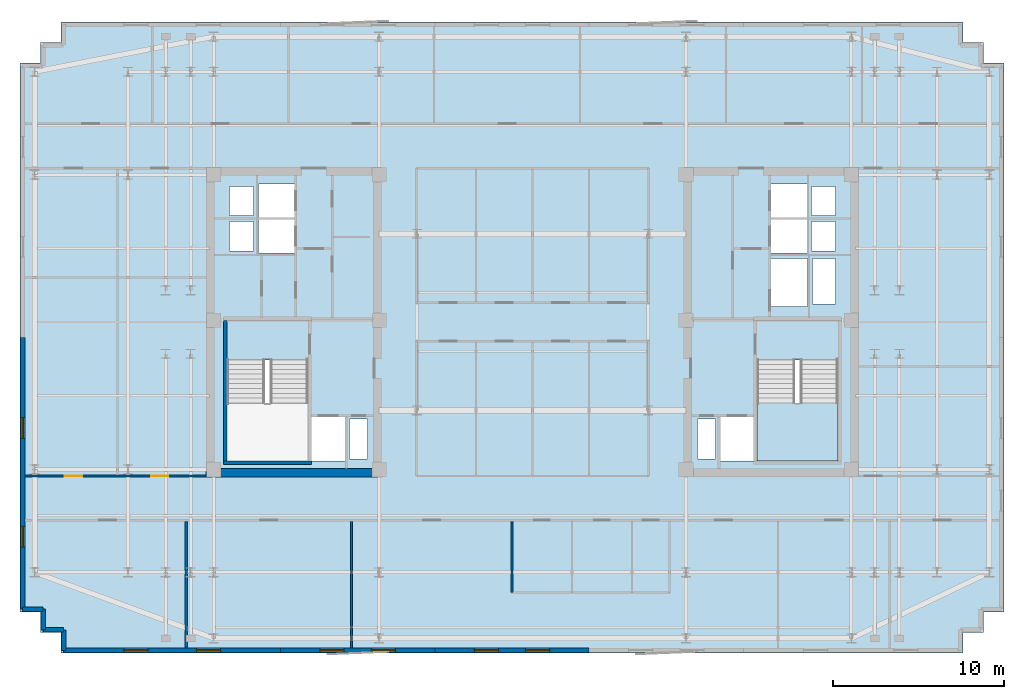
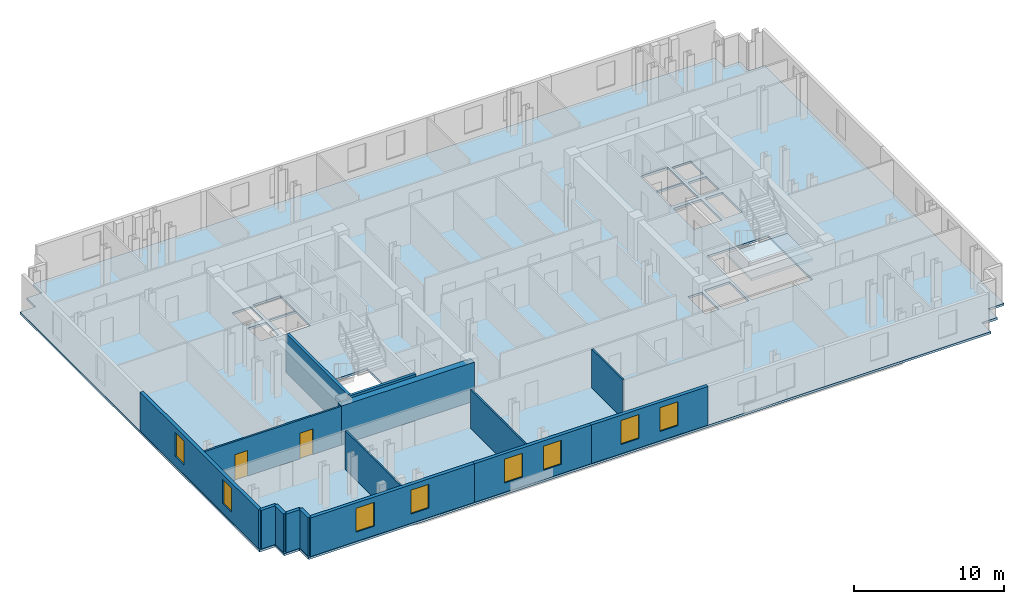
# One storey, part 3 of 10: 15 walls, 8 windows, 2 doors, 2 slabs, 10 openings, 1 element without a shape of its own.
"""IFC4 building model written with IfcOpenShell, lengths in metres."""

from ifc_helpers import new_model, si_unit, direction, frame, frame_2d, origin, place, context, subcontext, project, spatial, polyline, rectangle, outline, extrude, material, layer, layer_set, type_object, element, fill, aggregate, save


model = new_model("IFC4")

# Units and contexts
model_context = context("Model", 3, precision=1e-05, world=origin(), true_north=direction((0.0, 1.0)))
body_context = subcontext(model_context, "Body", "Model", "MODEL_VIEW")
ifc_project = project(units=[si_unit("LENGTHUNIT", "METRE"), si_unit("AREAUNIT", "SQUARE_METRE"), si_unit("VOLUMEUNIT", "CUBIC_METRE"), si_unit("PLANEANGLEUNIT", "RADIAN"), si_unit("MASSUNIT", "GRAM", prefix="KILO")], contexts=[model_context])

# Site, building, storey
site_placement = place(None, origin())
site = spatial("IfcSite", under=ifc_project, at=site_placement, CompositionType="ELEMENT")
building_placement = place(site_placement, origin())
building = spatial("IfcBuilding", under=site, at=building_placement, Name="Velakula Bourse", CompositionType="ELEMENT")
storey_placement = place(building_placement, frame((0.0, 0.0, 239.550048828125)))
storey = spatial("IfcBuildingStorey", under=building, at=storey_placement, Name="L65", CompositionType="ELEMENT", Elevation=239.550048828125)

# Stair, slab
ifc_material_1 = material(Name="Concrete M45 (fck 45 MPa)", Category="concrete")
stair_type = type_object("IfcStairType", Name="STR-DOG-390", PredefinedType="HALF_TURN_STAIR", material=ifc_material_1)
stair_placement = place(storey_placement, origin())
stair = element("IfcStair", 1, at=stair_placement, inside=storey, type_object=stair_type, Name="L65 East Core Exit Stair ST-E1", PredefinedType="HALF_TURN_STAIR")
ifc_layer_1 = layer(ifc_material_1, 0.199951171875, Name="Concrete M45 (fck 45 MPa)", Category="concrete")
ifc_layer_set_1 = layer_set([ifc_layer_1], Name="Concrete M45 (fck 45 MPa)")
slab_type_1 = type_object("IfcSlabType", Name="SLB-STAIR-LND-200", PredefinedType="LANDING", material=ifc_layer_set_1)
slab_1_placement = place(storey_placement, frame((0.0, 0.0, 1.52490234375)))
slab_1 = element("IfcSlab", 2, at=slab_1_placement, type_object=slab_type_1, Name="ST-E1 landing 1", PredefinedType="LANDING", context=body_context, shape_type="SweptSolid", body=[
    extrude(outline(polyline([(13.10009765625, -4.719970703125), (13.10009765625, -8.10009765625), (17.820068359375, -8.10009765625), (17.820068359375, -4.719970703125), (13.10009765625, -4.719970703125)])), origin(), (0.0, 0.0, 1.0), 0.199951171875),
])
aggregate(stair, [slab_1])

# Slab
ifc_material_2 = material(Name="Concrete M50 (fck 50 MPa)", Category="concrete")
ifc_layer_2 = layer(ifc_material_2, 0.179931640625, Name="Concrete M50 (fck 50 MPa)", Category="concrete")
ifc_layer_set_2 = layer_set([ifc_layer_2], Name="Concrete M50 (fck 50 MPa)")
slab_type_2 = type_object("IfcSlabType", Name="SLB-TWR-180", PredefinedType="FLOOR", material=ifc_layer_set_2)
slab_2_placement = place(storey_placement, frame((0.0, 0.0, -0.179931640625)))
element("IfcSlab", 3, at=slab_2_placement, inside=storey, type_object=slab_type_2, Name="L65 Suspended Structural Floor Slab", PredefinedType="FLOOR", context=body_context, shape_type="SweptSolid", body=[
    extrude(outline(polyline([(-27.5, -19.300048828125), (25.10009765625, -19.300048828125), (25.10009765625, -18.10009765625), (26.300048828125, -18.10009765625), (26.300048828125, -16.89990234375), (27.5, -16.89990234375), (27.5, 15.10009765625), (26.300048828125, 15.10009765625), (26.300048828125, 16.300048828125), (25.10009765625, 16.300048828125), (25.10009765625, 17.5), (-27.5, 17.5), (-27.5, 16.300048828125), (-28.699951171875, 16.300048828125), (-28.699951171875, 15.10009765625), (-29.89990234375, 15.10009765625), (-29.89990234375, -16.89990234375), (-28.699951171875, -16.89990234375), (-28.699951171875, -18.10009765625), (-27.5, -18.10009765625), (-27.5, -19.300048828125)]), holes=[polyline([(-17.820068359375, -8.10009765625), (-13.10009765625, -8.10009765625), (-13.10009765625, -2.199951171875), (-17.820068359375, -2.199951171875), (-17.820068359375, -8.10009765625)]), polyline([(13.10009765625, -8.10009765625), (17.820068359375, -8.10009765625), (17.820068359375, -2.199951171875), (13.10009765625, -2.199951171875), (13.10009765625, -8.10009765625)]), polyline([(-12.89990234375, -8.10009765625), (-10.949951171875, -8.10009765625), (-10.949951171875, -5.550048828125), (-12.89990234375, -5.550048828125), (-12.89990234375, -8.10009765625)]), polyline([(10.949951171875, -8.10009765625), (12.89990234375, -8.10009765625), (12.89990234375, -5.550048828125), (10.949951171875, -5.550048828125), (10.949951171875, -8.10009765625)]), polyline([(13.89990234375, 0.919921875), (16.050048828125, 0.919921875), (16.050048828125, 3.719970703125), (13.89990234375, 3.719970703125), (13.89990234375, 0.919921875)]), polyline([(-10.679931640625, -7.97998046875), (-9.6201171875, -7.97998046875), (-9.6201171875, -5.669921875), (-10.679931640625, -5.669921875), (-10.679931640625, -7.97998046875)]), polyline([(-17.679931640625, 4.139892578125), (-16.27001953125, 4.139892578125), (-16.27001953125, 5.85009765625), (-17.679931640625, 5.85009765625), (-17.679931640625, 4.139892578125)]), polyline([(-17.679931640625, 6.2099609375), (-16.27001953125, 6.2099609375), (-16.27001953125, 7.919921875), (-17.679931640625, 7.919921875), (-17.679931640625, 6.2099609375)]), polyline([(9.6201171875, -7.97998046875), (10.679931640625, -7.97998046875), (10.679931640625, -5.669921875), (9.6201171875, -5.669921875), (9.6201171875, -7.97998046875)]), polyline([(16.27001953125, 4.139892578125), (17.679931640625, 4.139892578125), (17.679931640625, 5.85009765625), (16.27001953125, 5.85009765625), (16.27001953125, 4.139892578125)]), polyline([(16.27001953125, 6.2099609375), (17.679931640625, 6.2099609375), (17.679931640625, 7.919921875), (16.27001953125, 7.919921875), (16.27001953125, 6.2099609375)]), polyline([(16.320068359375, 1.0400390625), (17.679931640625, 1.0400390625), (17.679931640625, 3.699951171875), (16.320068359375, 3.699951171875), (16.320068359375, 1.0400390625)]), polyline([(-16.0, 4.02001953125), (-13.89990234375, 4.02001953125), (-13.89990234375, 5.969970703125), (-16.0, 5.969970703125), (-16.0, 4.02001953125)]), polyline([(-16.0, 6.090087890625), (-13.89990234375, 6.090087890625), (-13.89990234375, 8.0400390625), (-16.0, 8.0400390625), (-16.0, 6.090087890625)]), polyline([(13.89990234375, 4.02001953125), (16.0, 4.02001953125), (16.0, 5.969970703125), (13.89990234375, 5.969970703125), (13.89990234375, 4.02001953125)]), polyline([(13.89990234375, 6.090087890625), (16.0, 6.090087890625), (16.0, 8.0400390625), (13.89990234375, 8.0400390625), (13.89990234375, 6.090087890625)])]), origin(), (0.0, 0.0, 1.0), 0.179931640625),
])

# Walls
ifc_layer_3 = layer(ifc_material_2, 0.2099609375, Name="Concrete M50 (fck 50 MPa)", Category="concrete")
ifc_layer_set_3 = layer_set([ifc_layer_3], Name="Concrete M50 (fck 50 MPa)")
wall_type_1 = type_object("IfcWallType", Name="WL-CORE-210", PredefinedType="SHEAR", material=ifc_layer_set_3)
wall_1_placement = place(storey_placement, frame((-17.925048828125, -8.10009765625, 0.0), z_axis=(0.0, 0.0, 1.0), x_axis=(0.0, 1.0, 0.0)))
element("IfcWall", 4, at=wall_1_placement, inside=storey, type_object=wall_type_1, Name="L65 Core W Stairwell Shear Wall OUT", PredefinedType="SHEAR", context=body_context, shape_type="SweptSolid", body=[
    extrude(rectangle(XDim=8.2001953125, YDim=0.2099609375, at=frame_2d((4.10009765625, 0.0))), origin(), (0.0, 0.0, 1.0), 3.169921875),
])
wall_2_placement = place(storey_placement, frame((-18.030029296875, -8.205078125, 0.0), z_axis=(0.0, 0.0, 1.0), x_axis=(1.0, 0.0, 0.0)))
element("IfcWall", 5, at=wall_2_placement, inside=storey, type_object=wall_type_1, Name="L65 Core W Stairwell Shear Wall S", PredefinedType="SHEAR", context=body_context, shape_type="SweptSolid", body=[
    extrude(rectangle(XDim=5.14013671875, YDim=0.2099609375, at=frame_2d((2.570068359375, 0.0))), origin(), (0.0, 0.0, 1.0), 3.169921875),
])
ifc_layer_4 = layer(ifc_material_2, 0.5, Name="Concrete M50 (fck 50 MPa)", Category="concrete")
ifc_layer_set_4 = layer_set([ifc_layer_4], Name="Concrete M50 (fck 50 MPa)")
wall_type_2 = type_object("IfcWallType", Name="WL-CORE-500", PredefinedType="SHEAR", material=ifc_layer_set_4)
wall_3_placement = place(storey_placement, frame((-19.050048828125, -8.800048828125, 0.0), z_axis=(0.0, 0.0, 1.0), x_axis=(1.0, 0.0, 0.0)))
element("IfcWall", 6, at=wall_3_placement, inside=storey, type_object=wall_type_2, Name="L65 Core W Shear Wall S", PredefinedType="SHEAR", context=body_context, shape_type="SweptSolid", body=[
    extrude(rectangle(XDim=10.25, YDim=0.5, at=frame_2d((5.125, 0.0))), origin(), (0.0, 0.0, 1.0), 3.169921875),
])

# Wall, openings, windows
ifc_material_3 = material(Name="Buff kilned clay facing brick masonry", Category="masonry")
ifc_layer_5 = layer(ifc_material_3, 0.260009765625, Name="Buff kilned clay facing brick masonry", Category="masonry")
ifc_layer_set_5 = layer_set([ifc_layer_5], Name="Buff kilned clay facing brick masonry")
wall_type_3 = type_object("IfcWallType", Name="WL-EXT-BRK-260", PredefinedType="STANDARD", material=ifc_layer_set_5)
wall_4_placement = place(storey_placement, frame((-14.699951171875, -19.14990234375, 0.0), z_axis=(0.0, 0.0, 1.0), x_axis=(-1.0, 0.0, 0.0)))
wall_4 = element("IfcWall", 7, at=wall_4_placement, inside=storey, type_object=wall_type_3, Name="L65 S Brick Spandrel Wall B1", PredefinedType="STANDARD", context=body_context, shape_type="SweptSolid", body=[
    extrude(rectangle(XDim=12.650146484375, YDim=0.260009765625, at=frame_2d((6.3251953125, 0.0))), origin(), (0.0, 0.0, 1.0), 3.14990234375),
])
opening_1_placement = place(wall_4_placement, frame((3.5166015625, 0.0, 0.760009765625)))
opening_1 = element("IfcOpeningElement", 8, at=opening_1_placement, cuts=wall_4, Name="Opening W-03", PredefinedType="OPENING", context=body_context, shape_type="SweptSolid", body=[
    extrude(rectangle(XDim=1.39990234375, YDim=1.949951171875, at=frame_2d((0.699951171875, 0.97509765625))), frame((0.0, 0.139892578125, 0.0), z_axis=(0.0, -1.0, 0.0), x_axis=(1.0, 0.0, 0.0)), (0.0, 0.0, 1.0), 0.280029296875),
])
opening_2_placement = place(wall_4_placement, frame((7.7333984375, 0.0, 0.760009765625)))
opening_2 = element("IfcOpeningElement", 9, at=opening_2_placement, cuts=wall_4, Name="Opening W-03", PredefinedType="OPENING", context=body_context, shape_type="SweptSolid", body=[
    extrude(rectangle(XDim=1.39990234375, YDim=1.949951171875, at=frame_2d((0.699951171875, 0.97509765625))), frame((0.0, 0.139892578125, 0.0), z_axis=(0.0, -1.0, 0.0), x_axis=(1.0, 0.0, 0.0)), (0.0, 0.0, 1.0), 0.280029296875),
])
ifc_material_4 = material(Name="Double-glazed solar-control Low-E glass", Category="glass")
window_type_1 = type_object("IfcWindowType", Name="WIN-TWR-1400x2100", PartitioningType="SINGLE_PANEL", PredefinedType="WINDOW", material=ifc_material_4)
window_1_placement = place(opening_1_placement, origin())
window_1 = element("IfcWindow", 10, at=window_1_placement, inside=storey, type_object=window_type_1, Name="L65 Deep-Set Recessed Window 1", OverallHeight=1.949951171875, OverallWidth=1.39990234375, PartitioningType="SINGLE_PANEL", PredefinedType="WINDOW", context=body_context, shape_type="SweptSolid", body=[
    extrude(rectangle(XDim=1.39990234375, YDim=1.949951171875, at=frame_2d((0.699951171875, 0.97509765625))), frame((0.0, 0.030029296875, 0.0), z_axis=(0.0, -1.0, 0.0), x_axis=(1.0, 0.0, 0.0)), (0.0, 0.0, 1.0), 0.06005859375),
])
fill(opening_1, window_1)
window_2_placement = place(opening_2_placement, origin())
window_2 = element("IfcWindow", 11, at=window_2_placement, inside=storey, type_object=window_type_1, Name="L65 Deep-Set Recessed Window 2", OverallHeight=1.949951171875, OverallWidth=1.39990234375, PartitioningType="SINGLE_PANEL", PredefinedType="WINDOW", context=body_context, shape_type="SweptSolid", body=[
    extrude(rectangle(XDim=1.39990234375, YDim=1.949951171875, at=frame_2d((0.699951171875, 0.97509765625))), frame((0.0, 0.030029296875, 0.0), z_axis=(0.0, -1.0, 0.0), x_axis=(1.0, 0.0, 0.0)), (0.0, 0.0, 1.0), 0.06005859375),
])
fill(opening_2, window_2)

wall_5_placement = place(storey_placement, frame((-5.699951171875, -19.14990234375, 0.0), z_axis=(0.0, 0.0, 1.0), x_axis=(-1.0, 0.0, 0.0)))
wall_5 = element("IfcWall", 12, at=wall_5_placement, inside=storey, type_object=wall_type_3, Name="L65 S Brick Spandrel Wall B2", PredefinedType="STANDARD", context=body_context, shape_type="SweptSolid", body=[
    extrude(rectangle(XDim=9.0, YDim=0.260009765625, at=frame_2d((4.5, 0.0))), origin(), (0.0, 0.0, 1.0), 3.14990234375),
])
opening_3_placement = place(wall_5_placement, frame((2.300048828125, 0.0, 0.760009765625)))
opening_3 = element("IfcOpeningElement", 13, at=opening_3_placement, cuts=wall_5, Name="Opening W-03", PredefinedType="OPENING", context=body_context, shape_type="SweptSolid", body=[
    extrude(rectangle(XDim=1.39990234375, YDim=1.949951171875, at=frame_2d((0.699951171875, 0.97509765625))), frame((0.0, 0.139892578125, 0.0), z_axis=(0.0, -1.0, 0.0), x_axis=(1.0, 0.0, 0.0)), (0.0, 0.0, 1.0), 0.280029296875),
])
opening_4_placement = place(wall_5_placement, frame((5.300048828125, 0.0, 0.760009765625)))
opening_4 = element("IfcOpeningElement", 14, at=opening_4_placement, cuts=wall_5, Name="Opening W-03", PredefinedType="OPENING", context=body_context, shape_type="SweptSolid", body=[
    extrude(rectangle(XDim=1.39990234375, YDim=1.949951171875, at=frame_2d((0.699951171875, 0.97509765625))), frame((0.0, 0.139892578125, 0.0), z_axis=(0.0, -1.0, 0.0), x_axis=(1.0, 0.0, 0.0)), (0.0, 0.0, 1.0), 0.280029296875),
])
window_3_placement = place(opening_3_placement, origin())
window_3 = element("IfcWindow", 15, at=window_3_placement, inside=storey, type_object=window_type_1, Name="L65 Deep-Set Recessed Window 1", OverallHeight=1.949951171875, OverallWidth=1.39990234375, PartitioningType="SINGLE_PANEL", PredefinedType="WINDOW", context=body_context, shape_type="SweptSolid", body=[
    extrude(rectangle(XDim=1.39990234375, YDim=1.949951171875, at=frame_2d((0.699951171875, 0.97509765625))), frame((0.0, 0.030029296875, 0.0), z_axis=(0.0, -1.0, 0.0), x_axis=(1.0, 0.0, 0.0)), (0.0, 0.0, 1.0), 0.06005859375),
])
fill(opening_3, window_3)
window_4_placement = place(opening_4_placement, origin())
window_4 = element("IfcWindow", 16, at=window_4_placement, inside=storey, type_object=window_type_1, Name="L65 Deep-Set Recessed Window 2", OverallHeight=1.949951171875, OverallWidth=1.39990234375, PartitioningType="SINGLE_PANEL", PredefinedType="WINDOW", context=body_context, shape_type="SweptSolid", body=[
    extrude(rectangle(XDim=1.39990234375, YDim=1.949951171875, at=frame_2d((0.699951171875, 0.97509765625))), frame((0.0, 0.030029296875, 0.0), z_axis=(0.0, -1.0, 0.0), x_axis=(1.0, 0.0, 0.0)), (0.0, 0.0, 1.0), 0.06005859375),
])
fill(opening_4, window_4)

wall_6_placement = place(storey_placement, frame((3.300048828125, -19.14990234375, 0.0), z_axis=(0.0, 0.0, 1.0), x_axis=(-1.0, 0.0, 0.0)))
wall_6 = element("IfcWall", 17, at=wall_6_placement, inside=storey, type_object=wall_type_3, Name="L65 S Brick Spandrel Wall B3", PredefinedType="STANDARD", context=body_context, shape_type="SweptSolid", body=[
    extrude(rectangle(XDim=9.0, YDim=0.260009765625, at=frame_2d((4.5, 0.0))), origin(), (0.0, 0.0, 1.0), 3.14990234375),
])
opening_5_placement = place(wall_6_placement, frame((2.300048828125, 0.0, 0.760009765625)))
opening_5 = element("IfcOpeningElement", 18, at=opening_5_placement, cuts=wall_6, Name="Opening W-03", PredefinedType="OPENING", context=body_context, shape_type="SweptSolid", body=[
    extrude(rectangle(XDim=1.39990234375, YDim=1.949951171875, at=frame_2d((0.699951171875, 0.97509765625))), frame((0.0, 0.139892578125, 0.0), z_axis=(0.0, -1.0, 0.0), x_axis=(1.0, 0.0, 0.0)), (0.0, 0.0, 1.0), 0.280029296875),
])
opening_6_placement = place(wall_6_placement, frame((5.300048828125, 0.0, 0.760009765625)))
opening_6 = element("IfcOpeningElement", 19, at=opening_6_placement, cuts=wall_6, Name="Opening W-03", PredefinedType="OPENING", context=body_context, shape_type="SweptSolid", body=[
    extrude(rectangle(XDim=1.39990234375, YDim=1.949951171875, at=frame_2d((0.699951171875, 0.97509765625))), frame((0.0, 0.139892578125, 0.0), z_axis=(0.0, -1.0, 0.0), x_axis=(1.0, 0.0, 0.0)), (0.0, 0.0, 1.0), 0.280029296875),
])
window_5_placement = place(opening_5_placement, origin())
window_5 = element("IfcWindow", 20, at=window_5_placement, inside=storey, type_object=window_type_1, Name="L65 Deep-Set Recessed Window 1", OverallHeight=1.949951171875, OverallWidth=1.39990234375, PartitioningType="SINGLE_PANEL", PredefinedType="WINDOW", context=body_context, shape_type="SweptSolid", body=[
    extrude(rectangle(XDim=1.39990234375, YDim=1.949951171875, at=frame_2d((0.699951171875, 0.97509765625))), frame((0.0, 0.030029296875, 0.0), z_axis=(0.0, -1.0, 0.0), x_axis=(1.0, 0.0, 0.0)), (0.0, 0.0, 1.0), 0.06005859375),
])
fill(opening_5, window_5)
window_6_placement = place(opening_6_placement, origin())
window_6 = element("IfcWindow", 21, at=window_6_placement, inside=storey, type_object=window_type_1, Name="L65 Deep-Set Recessed Window 2", OverallHeight=1.949951171875, OverallWidth=1.39990234375, PartitioningType="SINGLE_PANEL", PredefinedType="WINDOW", context=body_context, shape_type="SweptSolid", body=[
    extrude(rectangle(XDim=1.39990234375, YDim=1.949951171875, at=frame_2d((0.699951171875, 0.97509765625))), frame((0.0, 0.030029296875, 0.0), z_axis=(0.0, -1.0, 0.0), x_axis=(1.0, 0.0, 0.0)), (0.0, 0.0, 1.0), 0.06005859375),
])
fill(opening_6, window_6)

wall_7_placement = place(storey_placement, frame((-29.75, -16.75, 0.0), z_axis=(0.0, 0.0, 1.0), x_axis=(0.0, 1.0, 0.0)))
wall_7 = element("IfcWall", 22, at=wall_7_placement, inside=storey, type_object=wall_type_3, Name="L65 W Brick End Wall W1", PredefinedType="STANDARD", context=body_context, shape_type="SweptSolid", body=[
    extrude(rectangle(XDim=15.85009765625, YDim=0.260009765625, at=frame_2d((7.925048828125, 0.0))), origin(), (0.0, 0.0, 1.0), 3.14990234375),
])
opening_7_placement = place(wall_7_placement, frame((3.63330078125, 0.0, 0.760009765625)))
opening_7 = element("IfcOpeningElement", 23, at=opening_7_placement, cuts=wall_7, Name="Opening W-04", PredefinedType="OPENING", context=body_context, shape_type="SweptSolid", body=[
    extrude(rectangle(XDim=1.199951171875, YDim=1.949951171875, at=frame_2d((0.60009765625, 0.97509765625))), frame((0.0, 0.139892578125, 0.0), z_axis=(0.0, -1.0, 0.0), x_axis=(1.0, 0.0, 0.0)), (0.0, 0.0, 1.0), 0.280029296875),
])
opening_8_placement = place(wall_7_placement, frame((9.966796875, 0.0, 0.760009765625)))
opening_8 = element("IfcOpeningElement", 24, at=opening_8_placement, cuts=wall_7, Name="Opening W-04", PredefinedType="OPENING", context=body_context, shape_type="SweptSolid", body=[
    extrude(rectangle(XDim=1.199951171875, YDim=1.949951171875, at=frame_2d((0.60009765625, 0.97509765625))), frame((0.0, 0.139892578125, 0.0), z_axis=(0.0, -1.0, 0.0), x_axis=(1.0, 0.0, 0.0)), (0.0, 0.0, 1.0), 0.280029296875),
])
window_type_2 = type_object("IfcWindowType", Name="WIN-TWR-1200x2100", PartitioningType="SINGLE_PANEL", PredefinedType="WINDOW", material=ifc_material_4)
window_7_placement = place(opening_7_placement, origin())
window_7 = element("IfcWindow", 25, at=window_7_placement, inside=storey, type_object=window_type_2, Name="L65 Deep-Set Recessed Window 1", OverallHeight=1.949951171875, OverallWidth=1.199951171875, PartitioningType="SINGLE_PANEL", PredefinedType="WINDOW", context=body_context, shape_type="SweptSolid", body=[
    extrude(rectangle(XDim=1.199951171875, YDim=1.949951171875, at=frame_2d((0.60009765625, 0.97509765625))), frame((0.0, 0.030029296875, 0.0), z_axis=(0.0, -1.0, 0.0), x_axis=(1.0, 0.0, 0.0)), (0.0, 0.0, 1.0), 0.06005859375),
])
fill(opening_7, window_7)
window_8_placement = place(opening_8_placement, origin())
window_8 = element("IfcWindow", 26, at=window_8_placement, inside=storey, type_object=window_type_2, Name="L65 Deep-Set Recessed Window 2", OverallHeight=1.949951171875, OverallWidth=1.199951171875, PartitioningType="SINGLE_PANEL", PredefinedType="WINDOW", context=body_context, shape_type="SweptSolid", body=[
    extrude(rectangle(XDim=1.199951171875, YDim=1.949951171875, at=frame_2d((0.60009765625, 0.97509765625))), frame((0.0, 0.030029296875, 0.0), z_axis=(0.0, -1.0, 0.0), x_axis=(1.0, 0.0, 0.0)), (0.0, 0.0, 1.0), 0.06005859375),
])
fill(opening_8, window_8)

# Walls
for number, where, z_axis, x_axis, name in (
    (27, (-29.75, -16.75, 0.0), (0.0, 0.0, 1.0), (1.0, 0.0, 0.0), "L65 Serrated Corner Brick Wall SW-1"),
    (28, (-28.550048828125, -16.75, 0.0), (0.0, 0.0, 1.0), (0.0, -1.0, 0.0), "L65 Serrated Corner Brick Wall SW-2"),
    (29, (-28.550048828125, -17.949951171875, 0.0), (0.0, 0.0, 1.0), (1.0, 0.0, 0.0), "L65 Serrated Corner Brick Wall SW-3"),
    (30, (-27.35009765625, -17.949951171875, 0.0), (0.0, 0.0, 1.0), (0.0, -1.0, 0.0), "L65 Serrated Corner Brick Wall SW-4"),
):
    element("IfcWall", number, at=place(storey_placement, frame(where, z_axis=z_axis, x_axis=x_axis)), inside=storey, type_object=wall_type_3, Name=name, PredefinedType="STANDARD", context=body_context, shape_type="SweptSolid", body=[
        extrude(rectangle(XDim=1.199951171875, YDim=0.260009765625, at=frame_2d((0.60009765625, 0.0))), origin(), (0.0, 0.0, 1.0), 3.14990234375),
    ])
ifc_material_5 = material(Name="Fire-rated double-layer gypsum drywall partition", Category="gypsum")
ifc_layer_6 = layer(ifc_material_5, 0.1201171875, Name="Fire-rated double-layer gypsum drywall partition", Category="gypsum")
ifc_layer_set_6 = layer_set([ifc_layer_6], Name="Fire-rated double-layer gypsum drywall partition")
wall_type_4 = type_object("IfcWallType", Name="WL-PART-120", PredefinedType="STANDARD", material=ifc_layer_set_6)
wall_8_placement = place(storey_placement, frame((-1.199951171875, -15.77001953125, 0.0), z_axis=(0.0, 0.0, 1.0), x_axis=(0.0, 1.0, 0.0)))
element("IfcWall", 31, at=wall_8_placement, inside=storey, type_object=wall_type_4, Name="L65 Interior Partition WL-WC-L65-V1", PredefinedType="STANDARD", context=body_context, shape_type="SweptSolid", body=[
    extrude(rectangle(XDim=4.130126953125, YDim=0.1201171875, at=frame_2d((2.06494140625, 0.0))), origin(), (0.0, 0.0, 1.0), 3.14990234375),
])
for number, where, z_axis, x_axis, name in (
    (32, (-20.200927734375, -19.02001953125, 0.0), (0.0, 0.0, 1.0), (0.0, 1.0, 0.0), "L65 Interior Partition WL-INT-L65-SL-D5"),
    (33, (-10.55908203125, -19.02001953125, 0.0), (0.0, 0.0, 1.0), (0.0, 1.0, 0.0), "L65 Interior Partition WL-INT-L65-SL-D6"),
):
    element("IfcWall", number, at=place(storey_placement, frame(where, z_axis=z_axis, x_axis=x_axis)), inside=storey, type_object=wall_type_4, Name=name, PredefinedType="STANDARD", context=body_context, shape_type="SweptSolid", body=[
        extrude(rectangle(XDim=7.380126953125, YDim=0.1201171875, at=frame_2d((3.68994140625, 0.0))), origin(), (0.0, 0.0, 1.0), 3.14990234375),
    ])

# Wall, openings, doors
ifc_layer_7 = layer(ifc_material_5, 0.139892578125, Name="Fire-rated double-layer gypsum drywall partition", Category="gypsum")
ifc_layer_set_7 = layer_set([ifc_layer_7], Name="Fire-rated double-layer gypsum drywall partition")
wall_type_5 = type_object("IfcWallType", Name="WL-PART-140", PredefinedType="STANDARD", material=ifc_layer_set_7)
wall_9_placement = place(storey_placement, frame((-29.6201171875, -8.97998046875, 0.0), z_axis=(0.0, 0.0, 1.0), x_axis=(1.0, 0.0, 0.0)))
wall_9 = element("IfcWall", 34, at=wall_9_placement, inside=storey, type_object=wall_type_5, Name="L65 Interior Partition WL-INT-L65-W-SC", PredefinedType="STANDARD", context=body_context, shape_type="SweptSolid", body=[
    extrude(rectangle(XDim=10.570068359375, YDim=0.139892578125, at=frame_2d((5.28515625, 0.0))), origin(), (0.0, 0.0, 1.0), 3.14990234375),
])
opening_9_placement = place(wall_9_placement, frame((2.33740234375, 0.0, 0.0)))
opening_9 = element("IfcOpeningElement", 35, at=opening_9_placement, cuts=wall_9, Name="Opening D-OF1", PredefinedType="OPENING", context=body_context, shape_type="SweptSolid", body=[
    extrude(rectangle(XDim=1.0, YDim=2.080078125, at=frame_2d((0.5, 1.0400390625))), frame((0.0, 0.079833984375, 0.0), z_axis=(0.0, -1.0, 0.0), x_axis=(1.0, 0.0, 0.0)), (0.0, 0.0, 1.0), 0.159912109375),
])
opening_10_placement = place(wall_9_placement, frame((7.362548828125, 0.0, 0.0)))
opening_10 = element("IfcOpeningElement", 36, at=opening_10_placement, cuts=wall_9, Name="Opening D-OF1", PredefinedType="OPENING", context=body_context, shape_type="SweptSolid", body=[
    extrude(rectangle(XDim=1.0, YDim=2.080078125, at=frame_2d((0.5, 1.0400390625))), frame((0.0, 0.079833984375, 0.0), z_axis=(0.0, -1.0, 0.0), x_axis=(1.0, 0.0, 0.0)), (0.0, 0.0, 1.0), 0.159912109375),
])
ifc_material_6 = material(Name="Fire-rated hardwood flush architectural door", Category="wood")
door_type = type_object("IfcDoorType", Name="DR-OFF-1000", OperationType="NOTDEFINED", PredefinedType="DOOR", material=ifc_material_6)
door_1_placement = place(opening_9_placement, origin())
door_1 = element("IfcDoor", 37, at=door_1_placement, inside=storey, type_object=door_type, Name="L65 Issuer Relations Office Door", OperationType="SINGLE_SWING_LEFT", OverallHeight=2.080078125, OverallWidth=1.0, PredefinedType="DOOR", context=body_context, shape_type="SweptSolid", body=[
    extrude(rectangle(XDim=1.0, YDim=2.080078125, at=frame_2d((0.5, 1.0400390625))), frame((0.0, 0.02490234375, 0.0), z_axis=(0.0, -1.0, 0.0), x_axis=(1.0, 0.0, 0.0)), (0.0, 0.0, 1.0), 0.050048828125),
])
fill(opening_9, door_1)
door_2_placement = place(opening_10_placement, origin())
door_2 = element("IfcDoor", 38, at=door_2_placement, inside=storey, type_object=door_type, Name="L65 Arbitration Conference Room Door", OperationType="SINGLE_SWING_RIGHT", OverallHeight=2.080078125, OverallWidth=1.0, PredefinedType="DOOR", context=body_context, shape_type="SweptSolid", body=[
    extrude(rectangle(XDim=1.0, YDim=2.080078125, at=frame_2d((0.5, 1.0400390625))), frame((0.0, 0.02490234375, 0.0), z_axis=(0.0, -1.0, 0.0), x_axis=(1.0, 0.0, 0.0)), (0.0, 0.0, 1.0), 0.050048828125),
])
fill(opening_10, door_2)

save(model, "model.ifc")
